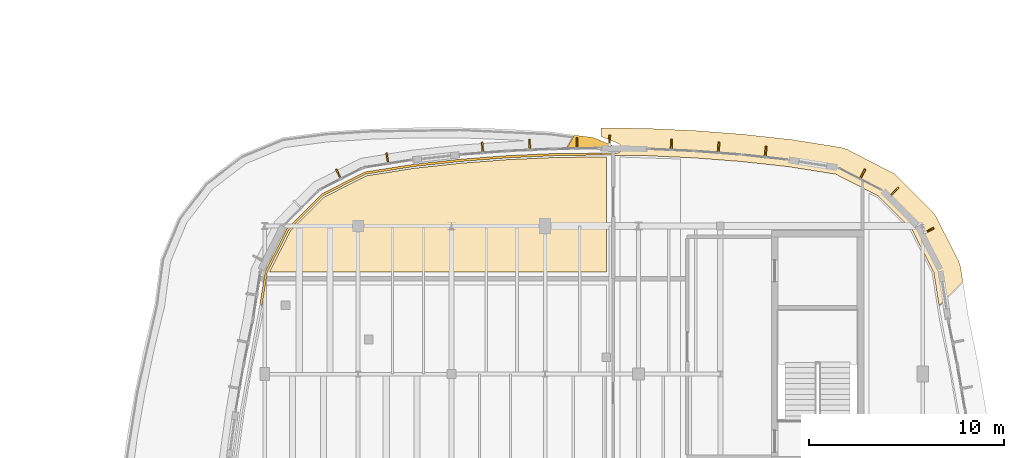
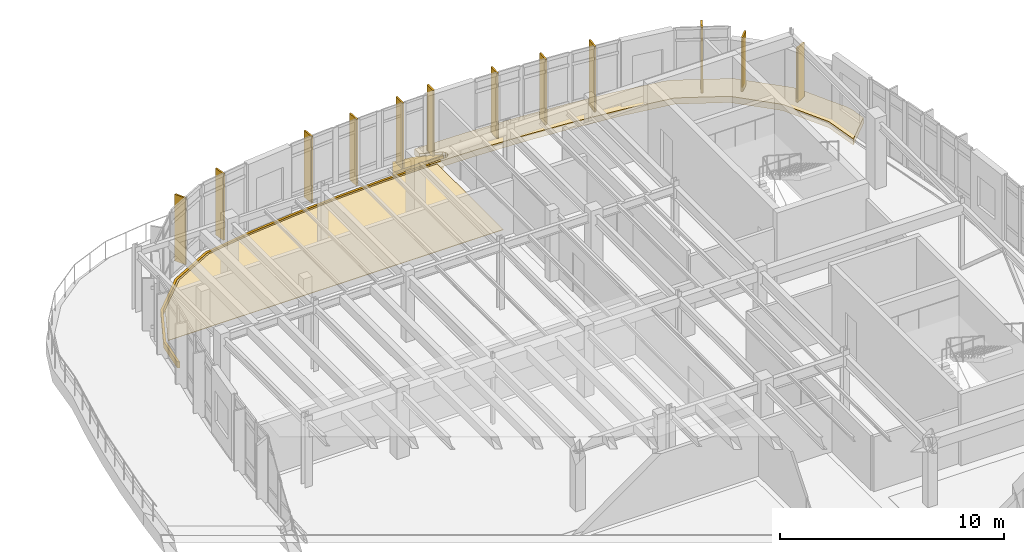
# One storey, part 111 of 111: 16 coverings, 3 shading devices.
"""IFC4 building model written with IfcOpenShell, lengths in metres."""

import ifcopenshell
import ifcopenshell.guid

model = None  # the IFC model being written
_history = None  # IfcOwnerHistory: only IFC2X3 demands one
_inside = {}  # id of a spatial element -> (the spatial element, [elements in it])
_under = {}  # id of a project, library or spatial element -> (it, [spatial elements below it])
_declared = {}  # id of a project -> (the project, [libraries it declares])
_typed = {}  # id of a type object -> (the type object, [elements of that type])
_made_of = {}  # id of a material, layer set ... -> (it, [elements and type objects made of it])


def new_model(schema):
    """Start an empty IFC model of exactly this schema.

    Asked for "IFC4X3", IfcOpenShell would pick the latest addendum, in which some entities
    have other attributes; the version numbers below select the first issue.
    IFC2X3 requires an IfcOwnerHistory on every rooted entity: one is made here for all.
    """
    global model, _history
    if schema == "IFC4X3":
        model = ifcopenshell.file(schema_version=(4, 3, 0, 0))
    else:
        model = ifcopenshell.file(schema=schema)
    _inside.clear()
    _under.clear()
    _declared.clear()
    _typed.clear()
    _made_of.clear()
    _history = None
    if model.schema == "IFC2X3":
        org = make("IfcOrganization", Name="unknown")
        user = make(
            "IfcPersonAndOrganization",
            ThePerson=make("IfcPerson", FamilyName="unknown"),
            TheOrganization=org,
        )
        app = make(
            "IfcApplication",
            ApplicationDeveloper=org,
            Version="unknown",
            ApplicationFullName="unknown",
            ApplicationIdentifier="unknown",
        )
        _history = make(
            "IfcOwnerHistory",
            OwningUser=user,
            OwningApplication=app,
            ChangeAction="ADDED",
            CreationDate=0,
        )
    return model


def make(cls, **values):
    """One entity of the class cls with the attributes given. An attribute that is None is left unset."""
    return model.create_entity(
        cls, **{name: value for name, value in values.items() if value is not None}
    )


def rooted(cls, **values):
    """An entity with a GlobalId (a new one), such as an element, a storey or a relation."""
    return make(cls, GlobalId=ifcopenshell.guid.new(), OwnerHistory=_history, **values)


def si_unit(unit_type, name, prefix=None):
    """IfcSIUnit, for example si_unit("LENGTHUNIT", "METRE", prefix="MILLI")."""
    return make("IfcSIUnit", UnitType=unit_type, Prefix=prefix, Name=name)


def assignment(units):
    """IfcUnitAssignment: the units of a project."""
    return None if units is None else make("IfcUnitAssignment", Units=units)


def point(xyz):
    """IfcCartesianPoint."""
    return None if xyz is None else make("IfcCartesianPoint", Coordinates=xyz)


def direction(xyz):
    """IfcDirection."""
    return None if xyz is None else make("IfcDirection", DirectionRatios=xyz)


def frame(location, z_axis=None, x_axis=None):
    """IfcAxis2Placement3D, a coordinate frame: its origin and axes. An axis left out is left unset."""
    return make(
        "IfcAxis2Placement3D",
        Location=point(location),
        Axis=direction(z_axis),
        RefDirection=direction(x_axis),
    )


def frame_2d(location, x_axis=None):
    """IfcAxis2Placement2D, a coordinate frame in the plane: its origin and x axis."""
    return make(
        "IfcAxis2Placement2D", Location=point(location), RefDirection=direction(x_axis)
    )


def origin():
    """The frame at (0, 0, 0) with its axes left unset."""
    return frame((0.0, 0.0, 0.0))


def origin_2d():
    """The frame at (0, 0) in the plane with its x axis left unset."""
    return frame_2d((0.0, 0.0))


def place(relative_to, where):
    """IfcLocalPlacement: puts the frame where relative to a parent placement (None: the world)."""
    return make(
        "IfcLocalPlacement", PlacementRelTo=relative_to, RelativePlacement=where
    )


def context(
    kind, dimensions, precision=None, world=None, true_north=None, identifier=None
):
    """IfcGeometricRepresentationContext, for example the 3D "Model" context."""
    return make(
        "IfcGeometricRepresentationContext",
        ContextIdentifier=identifier,
        ContextType=kind,
        CoordinateSpaceDimension=dimensions,
        Precision=precision,
        WorldCoordinateSystem=world,
        TrueNorth=true_north,
    )


def subcontext(parent, identifier, kind, view, scale=None):
    """IfcGeometricRepresentationSubContext, for example "Body" below "Model"."""
    return make(
        "IfcGeometricRepresentationSubContext",
        ContextIdentifier=identifier,
        ContextType=kind,
        ParentContext=parent,
        TargetScale=scale,
        TargetView=view,
    )


def project(units=None, contexts=None):
    """IfcProject with its units and contexts."""
    return rooted(
        "IfcProject",
        Name="project",
        RepresentationContexts=contexts,
        UnitsInContext=assignment(units),
    )


def spatial(cls, under=None, at=None, **own):
    """A site, building, storey or space (cls), placed at a placement, below another one or the project."""
    s = rooted(cls, ObjectPlacement=at, **own)
    if under is not None:
        _under.setdefault(under.id(), (under, []))[1].append(s)
    return s


def polyline(points):
    """IfcPolyline through the points."""
    return make("IfcPolyline", Points=[point(p) for p in points])


def profile(cls, at=None, kind="AREA", **sizes):
    """A parametric profile (cls). Its sizes go by their IFC names, for example OverallWidth=200.0."""
    return make(cls, ProfileType=kind, Position=at, **sizes)


def rectangle(**sizes):
    """IfcRectangleProfileDef."""
    return profile("IfcRectangleProfileDef", **sizes)


def outline(outer, holes=None, kind="AREA"):
    """IfcArbitraryClosedProfileDef: a profile drawn as a closed curve; with holes, ...WithVoids."""
    if holes is None:
        return make("IfcArbitraryClosedProfileDef", ProfileType=kind, OuterCurve=outer)
    return make(
        "IfcArbitraryProfileDefWithVoids",
        ProfileType=kind,
        OuterCurve=outer,
        InnerCurves=holes,
    )


def extrude(swept, where, along, depth):
    """IfcExtrudedAreaSolid: the profile swept, set in the frame where, extruded along a direction by depth."""
    return make(
        "IfcExtrudedAreaSolid",
        SweptArea=swept,
        Position=where,
        ExtrudedDirection=direction(along),
        Depth=depth,
    )


def shape(context_of_items, identifier, shape_type, items):
    """IfcShapeRepresentation: the items that make up one representation, for example the "Body"."""
    return make(
        "IfcShapeRepresentation",
        ContextOfItems=context_of_items,
        RepresentationIdentifier=identifier,
        RepresentationType=shape_type,
        Items=items,
    )


def material(Name=None, Category=None):
    """IfcMaterial."""
    return make("IfcMaterial", Name=Name, Category=Category)


def layer(
    of_material, thickness, ventilated=None, Name=None, Category=None, Priority=None
):
    """IfcMaterialLayer: one layer of a wall or slab, of a material (None: an air gap)."""
    return make(
        "IfcMaterialLayer",
        Material=of_material,
        LayerThickness=thickness,
        IsVentilated=ventilated,
        Name=Name,
        Category=Category,
        Priority=Priority,
    )


def layer_set(layers, Name=None):
    """IfcMaterialLayerSet."""
    return make("IfcMaterialLayerSet", MaterialLayers=layers, LayerSetName=Name)


def made_of(thing, what):
    """Note that an element or type object is made of a material, layer set ...; save() writes the relation."""
    if what is not None:
        _made_of.setdefault(what.id(), (what, []))[1].append(thing)
    return thing


def type_object(cls, material=None, **own):
    """A type object (cls), such as IfcWallType, which elements share."""
    return made_of(rooted(cls, **own), material)


def element(
    cls,
    number,
    at=None,
    inside=None,
    cuts=None,
    type_object=None,
    material=None,
    context=None,
    identifier="Body",
    shape_type=None,
    held_by="IfcProductDefinitionShape",
    body=None,
    shapes=None,
    **own,
):
    """One element of the class cls, such as IfcWall. Its Tag is "e" and its number.

    at: its placement. inside: the storey or other place that contains it. cuts: it is an
    opening in that element (IfcRelVoidsElement). A single representation is given by context,
    identifier, shape_type and body (its items); several are given by shapes. held_by: the class
    of the entity that holds the representations. save() writes the other relations.
    """
    e = rooted(cls, Tag="e%d" % number, ObjectPlacement=at, **own)
    if body is not None:
        shapes = [shape(context, identifier, shape_type, body)]
    if shapes is not None:
        e.Representation = make(held_by, Representations=shapes)
    if inside is not None:
        _inside.setdefault(inside.id(), (inside, []))[1].append(e)
    if cuts is not None:
        rooted(
            "IfcRelVoidsElement", RelatingBuildingElement=cuts, RelatedOpeningElement=e
        )
    if type_object is not None:
        _typed.setdefault(type_object.id(), (type_object, []))[1].append(e)
    return made_of(e, material)


def aggregate(whole, parts):
    """IfcRelAggregates: a whole, such as a stair, and the parts it consists of."""
    return rooted("IfcRelAggregates", RelatingObject=whole, RelatedObjects=parts)


def save(model, path):
    """Write the relations noted so far, then the file.

    IfcRelAggregates (storeys below a building ...), IfcRelContainedInSpatialStructure (elements
    in a storey), IfcRelDefinesByType, IfcRelAssociatesMaterial and IfcRelDeclares: one each for
    every whole, place, type object, material and project.
    """
    for whole, parts in _under.values():
        aggregate(whole, parts)
    for where, things in _inside.values():
        rooted(
            "IfcRelContainedInSpatialStructure",
            RelatedElements=things,
            RelatingStructure=where,
        )
    for kind, things in _typed.values():
        rooted("IfcRelDefinesByType", RelatedObjects=things, RelatingType=kind)
    for what, things in _made_of.values():
        rooted("IfcRelAssociatesMaterial", RelatedObjects=things, RelatingMaterial=what)
    for by, libraries in _declared.values():
        rooted("IfcRelDeclares", RelatingContext=by, RelatedDefinitions=libraries)
    model.write(path)


model = new_model("IFC4")

# Units and contexts
model_context = context("Model", 3, precision=1e-05, world=origin(), true_north=direction((0.0, 1.0)))
body_context = subcontext(model_context, "Body", "Model", "MODEL_VIEW")
ifc_project = project(units=[si_unit("LENGTHUNIT", "METRE"), si_unit("AREAUNIT", "SQUARE_METRE"), si_unit("VOLUMEUNIT", "CUBIC_METRE"), si_unit("PLANEANGLEUNIT", "RADIAN"), si_unit("MASSUNIT", "GRAM", prefix="KILO")], contexts=[model_context])

# Site, building, storey
site_placement = place(None, origin())
site = spatial("IfcSite", under=ifc_project, at=site_placement, CompositionType="ELEMENT")
building_placement = place(site_placement, origin())
building = spatial("IfcBuilding", under=site, at=building_placement, Name="Corveleigh Park Community Centre", CompositionType="ELEMENT")
storey_placement = place(building_placement, frame((0.0, 0.0, 4.800048828125)))
storey = spatial("IfcBuildingStorey", under=building, at=storey_placement, Name="L01", CompositionType="ELEMENT", Elevation=4.800048828125)

# Coverings
ifc_material_1 = material(Name="Warm buff ribbed architectural cladding", Category="masonry")
ifc_layer_1 = layer(ifc_material_1, 0.0849609375, Name="Warm buff ribbed architectural cladding", Category="masonry")
ifc_layer_set_1 = layer_set([ifc_layer_1], Name="Warm buff ribbed architectural cladding")
covering_type_1 = type_object("IfcCoveringType", Name="COV-CLD-BUF", PredefinedType="CLADDING", material=ifc_layer_set_1)
covering_1_placement = place(storey_placement, origin())
element("IfcCovering", 1, at=covering_1_placement, inside=storey, type_object=covering_type_1, Name="V4 L01 Brise-soleil blade 265", PredefinedType="CLADDING", context=body_context, shape_type="SweptSolid", body=[
    extrude(outline(polyline([(168.465087890625, 103.888916015625), (168.50390625, 103.81298828125), (168.97998046875, 104.055908203125), (168.94189453125, 104.132080078125), (168.465087890625, 103.888916015625)])), origin(), (0.0, 0.0, 1.0), 3.0),
])
covering_2_placement = place(storey_placement, origin())
element("IfcCovering", 2, at=covering_2_placement, inside=storey, type_object=covering_type_1, Name="V4 L01 Brise-soleil blade 266", PredefinedType="CLADDING", context=body_context, shape_type="SweptSolid", body=[
    extrude(outline(polyline([(166.7451171875, 105.827880859375), (166.804931640625, 105.76806640625), (167.18310546875, 106.14697265625), (167.123046875, 106.20703125), (166.7451171875, 105.827880859375)])), origin(), (0.0, 0.0, 1.0), 3.0),
])
covering_3_placement = place(storey_placement, origin())
element("IfcCovering", 3, at=covering_3_placement, inside=storey, type_object=covering_type_1, Name="V4 L01 Brise-soleil blade 267", PredefinedType="CLADDING", context=body_context, shape_type="SweptSolid", body=[
    extrude(outline(polyline([(165.1298828125, 106.617919921875), (165.2060546875, 106.5791015625), (165.468994140625, 107.095947265625), (165.39404296875, 107.135009765625), (165.1298828125, 106.617919921875)])), origin(), (0.0, 0.0, 1.0), 3.612060546875),
])
covering_4_placement = place(storey_placement, origin())
element("IfcCovering", 4, at=covering_4_placement, inside=storey, type_object=covering_type_1, Name="V4 L01 Brise-soleil blade 268", PredefinedType="CLADDING", context=body_context, shape_type="SweptSolid", body=[
    extrude(outline(polyline([(160.2529296875, 107.715087890625), (160.3369140625, 107.7060546875), (160.39990234375, 108.282958984375), (160.31494140625, 108.2919921875), (160.2529296875, 107.715087890625)])), origin(), (0.0, 0.0, 1.0), 3.612060546875),
])
covering_5_placement = place(storey_placement, origin())
element("IfcCovering", 5, at=covering_5_placement, inside=storey, type_object=covering_type_1, Name="V4 L01 Brise-soleil blade 269", PredefinedType="CLADDING", context=body_context, shape_type="SweptSolid", body=[
    extrude(outline(polyline([(157.845947265625, 107.93701171875), (157.930908203125, 107.930908203125), (157.97509765625, 108.509033203125), (157.89111328125, 108.51611328125), (157.845947265625, 107.93701171875)])), origin(), (0.0, 0.0, 1.0), 3.612060546875),
])
covering_6_placement = place(storey_placement, origin())
element("IfcCovering", 6, at=covering_6_placement, inside=storey, type_object=covering_type_1, Name="V4 L01 Brise-soleil blade 270", PredefinedType="CLADDING", context=body_context, shape_type="SweptSolid", body=[
    extrude(outline(polyline([(155.43310546875, 108.0849609375), (155.51806640625, 108.0810546875), (155.544921875, 108.659912109375), (155.4599609375, 108.6640625), (155.43310546875, 108.0849609375)])), origin(), (0.0, 0.0, 1.0), 3.612060546875),
])
covering_7_placement = place(storey_placement, origin())
element("IfcCovering", 7, at=covering_7_placement, inside=storey, type_object=covering_type_1, Name="V4 L01 Brise-soleil blade 271", PredefinedType="CLADDING", context=body_context, shape_type="SweptSolid", body=[
    extrude(outline(polyline([(152.26904296875, 108.324951171875), (152.35400390625, 108.322998046875), (152.362060546875, 108.85791015625), (152.277099609375, 108.860107421875), (152.26904296875, 108.324951171875)])), origin(), (0.0, 0.0, 1.0), 3.636962890625),
])
covering_8_placement = place(storey_placement, origin())
element("IfcCovering", 8, at=covering_8_placement, inside=storey, type_object=covering_type_1, Name="V4 L01 Brise-soleil blade 272", PredefinedType="CLADDING", context=body_context, shape_type="SweptSolid", body=[
    extrude(outline(polyline([(150.59912109375, 108.156982421875), (150.68408203125, 108.157958984375), (150.675048828125, 108.738037109375), (150.590087890625, 108.737060546875), (150.59912109375, 108.156982421875)])), origin(), (0.0, 0.0, 1.0), 3.636962890625),
])
covering_9_placement = place(storey_placement, origin())
element("IfcCovering", 9, at=covering_9_placement, inside=storey, type_object=covering_type_1, Name="V4 L01 Brise-soleil blade 273", PredefinedType="CLADDING", context=body_context, shape_type="SweptSolid", body=[
    extrude(outline(polyline([(148.181884765625, 108.0810546875), (148.26708984375, 108.0849609375), (148.239990234375, 108.6640625), (148.155029296875, 108.659912109375), (148.181884765625, 108.0810546875)])), origin(), (0.0, 0.0, 1.0), 3.636962890625),
])
covering_10_placement = place(storey_placement, origin())
element("IfcCovering", 10, at=covering_10_placement, inside=storey, type_object=covering_type_1, Name="V4 L01 Brise-soleil blade 274", PredefinedType="CLADDING", context=body_context, shape_type="SweptSolid", body=[
    extrude(outline(polyline([(145.76904296875, 107.930908203125), (145.85400390625, 107.93701171875), (145.80908203125, 108.51611328125), (145.72509765625, 108.509033203125), (145.76904296875, 107.930908203125)])), origin(), (0.0, 0.0, 1.0), 3.636962890625),
])
covering_11_placement = place(storey_placement, origin())
element("IfcCovering", 11, at=covering_11_placement, inside=storey, type_object=covering_type_1, Name="V4 L01 Brise-soleil blade 275", PredefinedType="CLADDING", context=body_context, shape_type="SweptSolid", body=[
    extrude(outline(polyline([(140.907958984375, 107.375), (140.991943359375, 107.387939453125), (140.90087890625, 107.9609375), (140.81689453125, 107.947998046875), (140.907958984375, 107.375)])), origin(), (0.0, 0.0, 1.0), 3.636962890625),
])
covering_12_placement = place(storey_placement, origin())
element("IfcCovering", 12, at=covering_12_placement, inside=storey, type_object=covering_type_1, Name="V4 L01 Brise-soleil blade 276", PredefinedType="CLADDING", context=body_context, shape_type="SweptSolid", body=[
    extrude(outline(polyline([(138.493896484375, 106.5791015625), (138.570068359375, 106.617919921875), (138.305908203125, 107.135009765625), (138.23095703125, 107.095947265625), (138.493896484375, 106.5791015625)])), origin(), (0.0, 0.0, 1.0), 3.636962890625),
])
ifc_material_2 = material(Name="White architectural fascia cladding", Category="masonry")
ifc_layer_2 = layer(ifc_material_2, 0.074951171875, Name="White architectural fascia cladding", Category="masonry")
ifc_layer_set_2 = layer_set([ifc_layer_2], Name="White architectural fascia cladding")
covering_type_2 = type_object("IfcCoveringType", Name="COV-CLD-WHT", PredefinedType="CLADDING", material=ifc_layer_set_2)
covering_13_placement = place(storey_placement, frame((0.0, 0.0, -0.679931640625)))
element("IfcCovering", 13, at=covering_13_placement, inside=storey, type_object=covering_type_2, Name="Step 1 Learning Garden Terrace Sweeping White Edge Band 1", PredefinedType="CLADDING", context=body_context, shape_type="SweptSolid", body=[
    extrude(outline(polyline([(151.48291015625, 108.739990234375), (152.705078125, 108.235107421875), (152.72705078125, 108.18310546875), (150.0830078125, 108.138916015625), (150.50390625, 108.868896484375), (151.48291015625, 108.739990234375)])), origin(), (0.0, 0.0, 1.0), 0.719970703125),
])
covering_14_placement = place(storey_placement, frame((0.0, 0.0, -0.300048828125)))
element("IfcCovering", 14, at=covering_14_placement, inside=storey, type_object=covering_type_2, Name="V4 L01 Horizontal Sun-Hood 2", PredefinedType="CLADDING", context=body_context, shape_type="SweptSolid", body=[
    extrude(outline(polyline([(154.283935546875, 109.208984375), (156.764892578125, 109.093994140625), (159.208984375, 108.905029296875), (161.6640625, 108.636962890625), (164.197998046875, 108.236083984375), (164.510986328125, 108.135009765625), (166.93701171875, 106.883056640625), (168.8759765625, 104.9619140625), (169.070068359375, 104.697021484375), (170.235107421875, 102.410888671875), (170.3359375, 102.097900390625), (170.4580078125, 101.326904296875), (169.235107421875, 100.10205078125), (168.9619140625, 101.824951171875), (167.846923828125, 104.011962890625), (166.112060546875, 105.7470703125), (163.925048828125, 106.862060546875), (161.4541015625, 107.2529296875), (159.06396484375, 107.511962890625), (156.662109375, 107.697998046875), (154.257080078125, 107.80908203125), (151.863037109375, 107.845947265625), (151.863037109375, 107.94189453125), (152.763916015625, 107.958984375), (152.89892578125, 108.06005859375), (152.93994140625, 108.198974609375), (152.909912109375, 108.31591796875), (152.80810546875, 108.4189453125), (151.863037109375, 108.81103515625), (151.863037109375, 109.24609375), (154.283935546875, 109.208984375)])), origin(), (0.0, 0.0, 1.0), 0.340087890625),
])
covering_15_placement = place(storey_placement, frame((0.0, 0.0, -0.300048828125)))
element("IfcCovering", 15, at=covering_15_placement, inside=storey, type_object=covering_type_2, Name="V4 L01 Horizontal Sun-Hood 3", PredefinedType="CLADDING", context=body_context, shape_type="SweptSolid", body=[
    extrude(outline(polyline([(134.6279296875, 101.860107421875), (135.759033203125, 104.080078125), (137.52099609375, 105.842041015625), (139.739990234375, 106.971923828125), (142.23095703125, 107.366943359375), (144.6259765625, 107.626953125), (147.030029296875, 107.81201171875), (149.43896484375, 107.924072265625), (151.8369140625, 107.94189453125), (151.8369140625, 107.845947265625), (149.443115234375, 107.80908203125), (147.0380859375, 107.697998046875), (144.635986328125, 107.511962890625), (142.24609375, 107.2529296875), (139.77490234375, 106.862060546875), (137.587890625, 105.7470703125), (135.85302734375, 104.011962890625), (134.738037109375, 101.824951171875), (134.465087890625, 100.10205078125), (134.364990234375, 100.202880859375), (134.6279296875, 101.860107421875)])), origin(), (0.0, 0.0, 1.0), 0.340087890625),
])
ifc_material_3 = material(Name="Acoustic linoleum flooring", Category="wood")
ifc_layer_3 = layer(ifc_material_3, 0.02490234375, Name="Acoustic linoleum flooring", Category="wood")
ifc_layer_set_3 = layer_set([ifc_layer_3], Name="Acoustic linoleum flooring")
covering_type_3 = type_object("IfcCoveringType", Name="COV-FLR-LIN", PredefinedType="FLOORING", material=ifc_layer_set_3)
covering_16_placement = place(storey_placement, origin())
element("IfcCovering", 16, at=covering_16_placement, inside=storey, type_object=covering_type_3, Name="Accessible and Public Toilets L01 flooring", PredefinedType="FLOORING", context=body_context, shape_type="SweptSolid", body=[
    extrude(outline(polyline([(137.64208984375, 105.674072265625), (139.803955078125, 106.77490234375), (142.258056640625, 107.1640625), (144.64501953125, 107.423095703125), (147.04296875, 107.60791015625), (149.446044921875, 107.718994140625), (152.159912109375, 107.7509765625), (152.159912109375, 101.840087890625), (134.846923828125, 101.840087890625), (135.926025390625, 103.9580078125), (137.64208984375, 105.674072265625)])), origin(), (0.0, 0.0, 1.0), 0.02490234375),
])

# Shading devices
ifc_material_4 = material(Name="Terracotta-anodised aluminium fin", Category="masonry")
shading_device_type_1 = type_object("IfcShadingDeviceType", Name="SHD-FIN-TER-350", PredefinedType="USERDEFINED", material=ifc_material_4)
shading_device_1_placement = place(storey_placement, frame((166.908935546875, 105.93310546875, 0.25), z_axis=(0.0, 0.0, 1.0), x_axis=(0.707106781187, 0.707106781187, 0.0)))
element("IfcShadingDevice", 17, at=shading_device_1_placement, inside=storey, type_object=shading_device_type_1, Name="Terracotta brise-soleil fin 51", ObjectType="FIN", PredefinedType="USERDEFINED", context=body_context, shape_type="SweptSolid", body=[
    extrude(rectangle(XDim=0.35009765625, YDim=0.06005859375, at=origin_2d()), origin(), (0.0, 0.0, 1.0), 2.60009765625),
])
shading_device_type_2 = type_object("IfcShadingDeviceType", Name="SHD-FIN-TER-450", PredefinedType="USERDEFINED", material=ifc_material_4)
shading_device_2_placement = place(storey_placement, frame((168.654052734375, 103.93701171875, 0.25), z_axis=(0.0, 0.0, 1.0), x_axis=(0.89086471553, 0.454268707511, 0.0)))
element("IfcShadingDevice", 18, at=shading_device_2_placement, inside=storey, type_object=shading_device_type_2, Name="Terracotta brise-soleil fin 50", ObjectType="FIN", PredefinedType="USERDEFINED", context=body_context, shape_type="SweptSolid", body=[
    extrude(rectangle(XDim=0.449951171875, YDim=0.06494140625, at=origin_2d()), origin(), (0.0, 0.0, 1.0), 2.60009765625),
])
shading_device_3_placement = place(storey_placement, frame((152.31396484375, 108.513916015625, 0.25), z_axis=(0.0, 0.0, 1.0), x_axis=(0.01541483492, 0.999881184374, 0.0)))
element("IfcShadingDevice", 19, at=shading_device_3_placement, inside=storey, type_object=shading_device_type_2, Name="Terracotta brise-soleil fin 52", ObjectType="FIN", PredefinedType="USERDEFINED", context=body_context, shape_type="SweptSolid", body=[
    extrude(rectangle(XDim=0.449951171875, YDim=0.06494140625, at=origin_2d()), origin(), (0.0, 0.0, 1.0), 3.237060546875),
])

save(model, "model.ifc")
